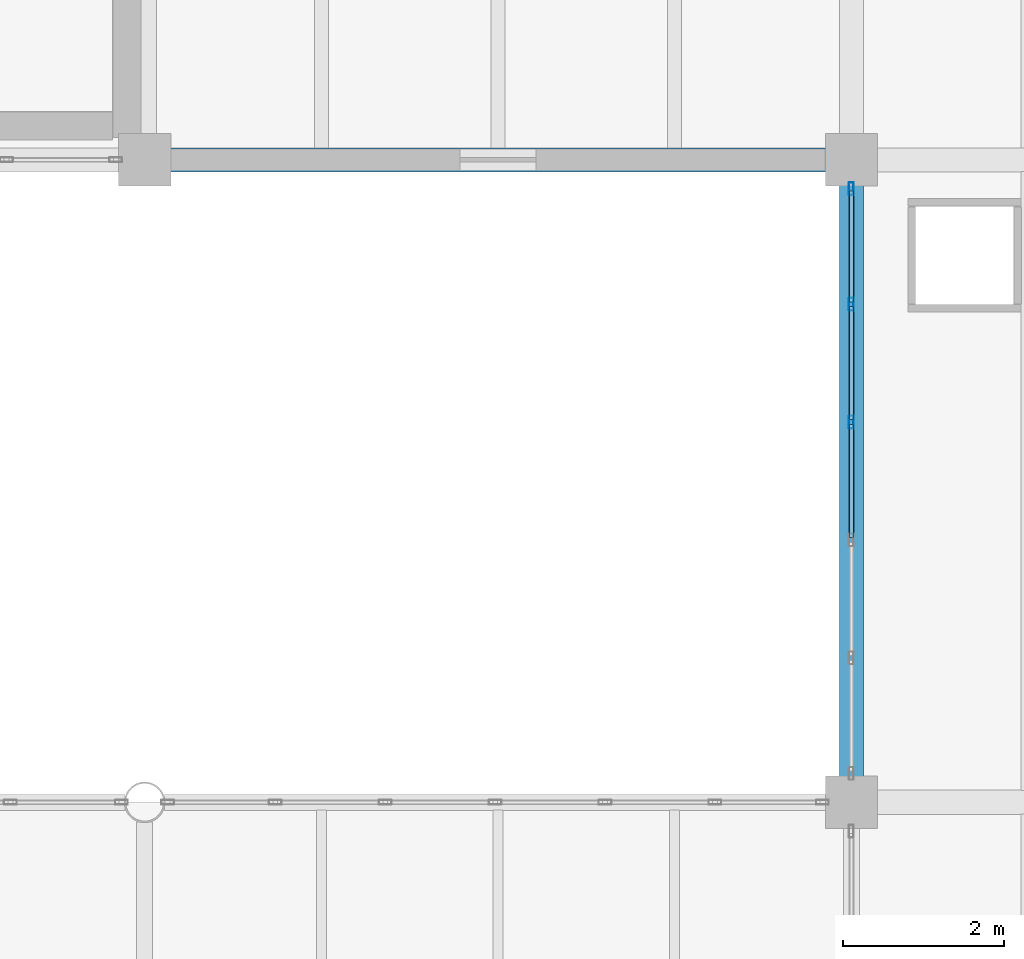
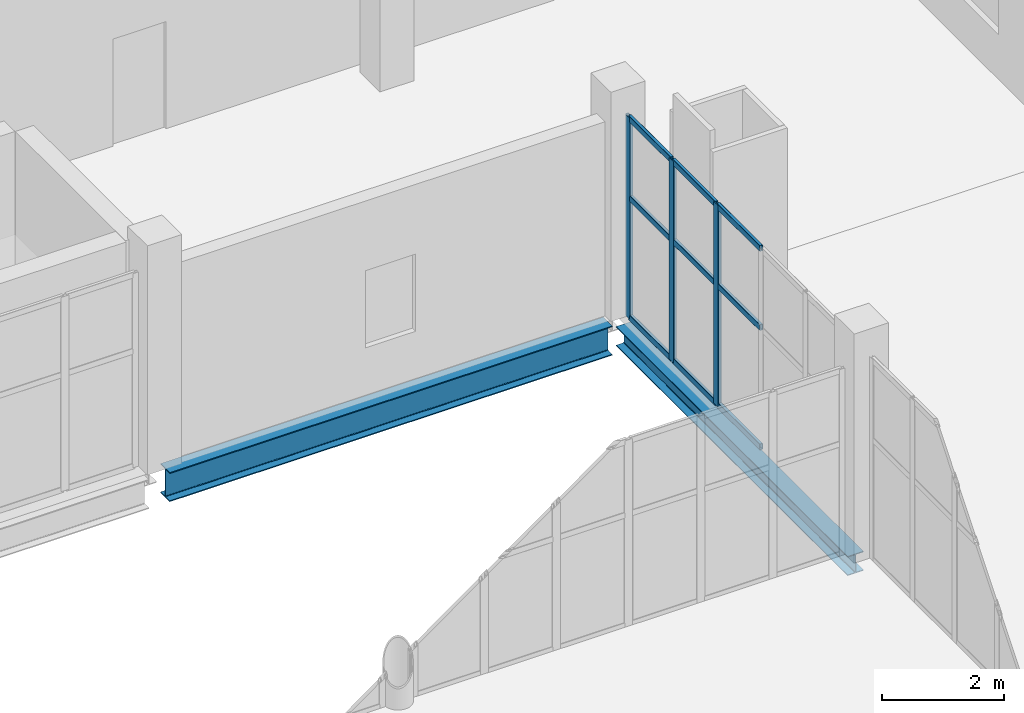
# One storey, part 122 of 172: 12 members, 2 beams, 1 element without a shape of its own.
"""IFC4 building model written with IfcOpenShell, lengths in metres."""

from ifc_helpers import new_model, si_unit, direction, frame, origin, origin_2d, place, context, subcontext, project, spatial, hollow_rectangle, i_section, extrude, material, material_profile, profile_set, type_object, element, aggregate, save


model = new_model("IFC4")

# Units and contexts
model_context = context("Model", 3, precision=1e-05, world=origin(), true_north=direction((0.0, 1.0)))
body_context = subcontext(model_context, "Body", "Model", "MODEL_VIEW")
ifc_project = project(units=[si_unit("LENGTHUNIT", "METRE"), si_unit("AREAUNIT", "SQUARE_METRE"), si_unit("VOLUMEUNIT", "CUBIC_METRE"), si_unit("PLANEANGLEUNIT", "RADIAN"), si_unit("MASSUNIT", "GRAM", prefix="KILO")], contexts=[model_context])

# Site, building, storey
site_placement = place(None, origin())
site = spatial("IfcSite", under=ifc_project, at=site_placement, CompositionType="ELEMENT")
building_placement = place(site_placement, origin())
building = spatial("IfcBuilding", under=site, at=building_placement, Name="Shengluoqiao Park Theatre", CompositionType="ELEMENT")
storey_placement = place(building_placement, frame((0.0, 0.0, 5.39990234375)))
storey = spatial("IfcBuildingStorey", under=building, at=storey_placement, Name="L01", CompositionType="ELEMENT", Elevation=5.39990234375)

# Curtain wall, members
ifc_material_1 = material(Name="Aluminium 6063-T6", Category="aluminium")
curtain_wall_type = type_object("IfcCurtainWallType", Name="ENV-CW-COURT", PredefinedType="NOTDEFINED", material=ifc_material_1)
curtain_wall_placement = place(storey_placement, origin())
curtain_wall = element("IfcCurtainWall", 1, at=curtain_wall_placement, inside=storey, type_object=curtain_wall_type, Name="L01 Curtain Wall CWX-L01-0188", PredefinedType="NOTDEFINED")
ifc_material_profile_1 = material_profile(ifc_material_1, hollow_rectangle(XDim=0.06005859375, YDim=0.159912109375, WallThickness=0.00390625, InnerFilletRadius=0.00390625, OuterFilletRadius=0.008056640625, at=origin_2d()), Name="ALU MULLION 160x60x4")
ifc_profile_set_1 = profile_set([ifc_material_profile_1], Name="Aluminium 6063-T6")
member_type_1 = type_object("IfcMemberType", Name="ENV-MUL-160", PredefinedType="MULLION", material=ifc_profile_set_1)
member_1_placement = place(storey_placement, frame((157.199951171875, 80.734130859375, 0.0), z_axis=(0.0, 0.0, 1.0), x_axis=(-1.0, 0.0, 0.0)))
member_1 = element("IfcMember", 2, at=member_1_placement, type_object=member_type_1, Name="CW-05 mullion 4", PredefinedType="MULLION", context=body_context, shape_type="SweptSolid", body=[
    extrude(hollow_rectangle(XDim=0.06005859375, YDim=0.159912109375, WallThickness=0.00390625, InnerFilletRadius=0.00390625, OuterFilletRadius=0.008056640625, at=origin_2d()), origin(), (0.0, 0.0, 1.0), 4.044189453125),
])
member_2_placement = place(storey_placement, frame((157.199951171875, 82.20263671875, 0.0), z_axis=(0.0, 0.0, 1.0), x_axis=(-1.0, 0.0, 0.0)))
member_2 = element("IfcMember", 3, at=member_2_placement, type_object=member_type_1, Name="CW-05 mullion 5", PredefinedType="MULLION", context=body_context, shape_type="SweptSolid", body=[
    extrude(hollow_rectangle(XDim=0.06005859375, YDim=0.159912109375, WallThickness=0.00390625, InnerFilletRadius=0.00390625, OuterFilletRadius=0.008056640625, at=origin_2d()), origin(), (0.0, 0.0, 1.0), 4.044189453125),
])
member_3_placement = place(storey_placement, frame((157.199951171875, 83.64111328125, 0.0), z_axis=(0.0, 0.0, 1.0), x_axis=(-1.0, 0.0, 0.0)))
member_3 = element("IfcMember", 4, at=member_3_placement, type_object=member_type_1, Name="CW-05 mullion 6", PredefinedType="MULLION", context=body_context, shape_type="SweptSolid", body=[
    extrude(hollow_rectangle(XDim=0.06005859375, YDim=0.159912109375, WallThickness=0.00390625, InnerFilletRadius=0.00390625, OuterFilletRadius=0.008056640625, at=origin_2d()), origin(), (0.0, 0.0, 1.0), 4.044189453125),
])
ifc_material_profile_2 = material_profile(ifc_material_1, hollow_rectangle(XDim=0.06005859375, YDim=0.1201171875, WallThickness=0.00390625, InnerFilletRadius=0.00390625, OuterFilletRadius=0.008056640625, at=origin_2d()), Name="ALU TRANSOM 120x60x4")
ifc_profile_set_2 = profile_set([ifc_material_profile_2], Name="Aluminium 6063-T6")
member_type_2 = type_object("IfcMemberType", Name="ENV-TRN-120", PredefinedType="USERDEFINED", material=ifc_profile_set_2)
member_4_placement = place(storey_placement, frame((157.199951171875, 79.2958984375, 0.030029296875), z_axis=(0.0, 1.0, 0.0), x_axis=(-1.0, 0.0, 0.0)))
member_4 = element("IfcMember", 5, at=member_4_placement, type_object=member_type_2, Name="CW-05 transom 3.1", ObjectType="TRANSOM", PredefinedType="USERDEFINED", context=body_context, shape_type="SweptSolid", body=[
    extrude(hollow_rectangle(XDim=0.06005859375, YDim=0.1201171875, WallThickness=0.00390625, InnerFilletRadius=0.00390625, OuterFilletRadius=0.008056640625, at=origin_2d()), origin(), (0.0, 0.0, 1.0), 1.408203125),
])
member_5_placement = place(storey_placement, frame((157.199951171875, 79.2958984375, 2.426025390625), z_axis=(0.0, 1.0, 0.0), x_axis=(-1.0, 0.0, 0.0)))
member_5 = element("IfcMember", 6, at=member_5_placement, type_object=member_type_2, Name="CW-05 transom 3.2", ObjectType="TRANSOM", PredefinedType="USERDEFINED", context=body_context, shape_type="SweptSolid", body=[
    extrude(hollow_rectangle(XDim=0.06005859375, YDim=0.1201171875, WallThickness=0.00390625, InnerFilletRadius=0.00390625, OuterFilletRadius=0.008056640625, at=origin_2d()), origin(), (0.0, 0.0, 1.0), 1.408203125),
])
member_6_placement = place(storey_placement, frame((157.199951171875, 79.2958984375, 4.01416015625), z_axis=(0.0, 1.0, 0.0), x_axis=(-1.0, 0.0, 0.0)))
member_6 = element("IfcMember", 7, at=member_6_placement, type_object=member_type_2, Name="CW-05 transom 3.3", ObjectType="TRANSOM", PredefinedType="USERDEFINED", context=body_context, shape_type="SweptSolid", body=[
    extrude(hollow_rectangle(XDim=0.06005859375, YDim=0.1201171875, WallThickness=0.00390625, InnerFilletRadius=0.00390625, OuterFilletRadius=0.008056640625, at=origin_2d()), origin(), (0.0, 0.0, 1.0), 1.408203125),
])
member_7_placement = place(storey_placement, frame((157.199951171875, 80.76416015625, 0.030029296875), z_axis=(0.0, 1.0, 0.0), x_axis=(-1.0, 0.0, 0.0)))
member_7 = element("IfcMember", 8, at=member_7_placement, type_object=member_type_2, Name="CW-05 transom 4.1", ObjectType="TRANSOM", PredefinedType="USERDEFINED", context=body_context, shape_type="SweptSolid", body=[
    extrude(hollow_rectangle(XDim=0.06005859375, YDim=0.1201171875, WallThickness=0.00390625, InnerFilletRadius=0.00390625, OuterFilletRadius=0.008056640625, at=origin_2d()), origin(), (0.0, 0.0, 1.0), 1.408447265625),
])
member_8_placement = place(storey_placement, frame((157.199951171875, 80.76416015625, 2.426025390625), z_axis=(0.0, 1.0, 0.0), x_axis=(-1.0, 0.0, 0.0)))
member_8 = element("IfcMember", 9, at=member_8_placement, type_object=member_type_2, Name="CW-05 transom 4.2", ObjectType="TRANSOM", PredefinedType="USERDEFINED", context=body_context, shape_type="SweptSolid", body=[
    extrude(hollow_rectangle(XDim=0.06005859375, YDim=0.1201171875, WallThickness=0.00390625, InnerFilletRadius=0.00390625, OuterFilletRadius=0.008056640625, at=origin_2d()), origin(), (0.0, 0.0, 1.0), 1.408447265625),
])
member_9_placement = place(storey_placement, frame((157.199951171875, 80.76416015625, 4.01416015625), z_axis=(0.0, 1.0, 0.0), x_axis=(-1.0, 0.0, 0.0)))
member_9 = element("IfcMember", 10, at=member_9_placement, type_object=member_type_2, Name="CW-05 transom 4.3", ObjectType="TRANSOM", PredefinedType="USERDEFINED", context=body_context, shape_type="SweptSolid", body=[
    extrude(hollow_rectangle(XDim=0.06005859375, YDim=0.1201171875, WallThickness=0.00390625, InnerFilletRadius=0.00390625, OuterFilletRadius=0.008056640625, at=origin_2d()), origin(), (0.0, 0.0, 1.0), 1.408447265625),
])
member_10_placement = place(storey_placement, frame((157.199951171875, 82.232666015625, 0.030029296875), z_axis=(0.0, 1.0, 0.0), x_axis=(-1.0, 0.0, 0.0)))
member_10 = element("IfcMember", 11, at=member_10_placement, type_object=member_type_2, Name="CW-05 transom 5.1", ObjectType="TRANSOM", PredefinedType="USERDEFINED", context=body_context, shape_type="SweptSolid", body=[
    extrude(hollow_rectangle(XDim=0.06005859375, YDim=0.1201171875, WallThickness=0.00390625, InnerFilletRadius=0.00390625, OuterFilletRadius=0.008056640625, at=origin_2d()), origin(), (0.0, 0.0, 1.0), 1.37841796875),
])
member_11_placement = place(storey_placement, frame((157.199951171875, 82.232666015625, 2.426025390625), z_axis=(0.0, 1.0, 0.0), x_axis=(-1.0, 0.0, 0.0)))
member_11 = element("IfcMember", 12, at=member_11_placement, type_object=member_type_2, Name="CW-05 transom 5.2", ObjectType="TRANSOM", PredefinedType="USERDEFINED", context=body_context, shape_type="SweptSolid", body=[
    extrude(hollow_rectangle(XDim=0.06005859375, YDim=0.1201171875, WallThickness=0.00390625, InnerFilletRadius=0.00390625, OuterFilletRadius=0.008056640625, at=origin_2d()), origin(), (0.0, 0.0, 1.0), 1.37841796875),
])
member_12_placement = place(storey_placement, frame((157.199951171875, 82.232666015625, 4.01416015625), z_axis=(0.0, 1.0, 0.0), x_axis=(-1.0, 0.0, 0.0)))
member_12 = element("IfcMember", 13, at=member_12_placement, type_object=member_type_2, Name="CW-05 transom 5.3", ObjectType="TRANSOM", PredefinedType="USERDEFINED", context=body_context, shape_type="SweptSolid", body=[
    extrude(hollow_rectangle(XDim=0.06005859375, YDim=0.1201171875, WallThickness=0.00390625, InnerFilletRadius=0.00390625, OuterFilletRadius=0.008056640625, at=origin_2d()), origin(), (0.0, 0.0, 1.0), 1.37841796875),
])
aggregate(curtain_wall, [member_1, member_2, member_3, member_4, member_5, member_6, member_7, member_8, member_9, member_10, member_11, member_12])

# Beams
ifc_material_2 = material(Name="Steel Q355", Category="steel")
ifc_material_profile_3 = material_profile(ifc_material_2, i_section(OverallWidth=0.300048828125, OverallDepth=0.389892578125, WebThickness=0.010009765625, FlangeThickness=0.01611328125, FilletRadius=0.01806640625, at=origin_2d()), Name="HM 390x300x10x16")
ifc_profile_set_3 = profile_set([ifc_material_profile_3], Name="Steel Q355")
beam_type_1 = type_object("IfcBeamType", Name="STR-BM-G-HM390", PredefinedType="BEAM", material=ifc_profile_set_3)
beam_1_placement = place(storey_placement, frame((157.199951171875, 76.194091796875, -0.434814453125), z_axis=(0.0, 1.0, 0.0), x_axis=(-1.0, 0.0, 0.0)))
element("IfcBeam", 14, at=beam_1_placement, inside=storey, type_object=beam_type_1, Name="L01 Transverse Girder 00742", PredefinedType="BEAM", context=body_context, shape_type="SweptSolid", body=[
    extrude(i_section(OverallWidth=0.300048828125, OverallDepth=0.389892578125, WebThickness=0.010009765625, FlangeThickness=0.01611328125, FilletRadius=0.01806640625, at=origin_2d()), origin(), (0.0, 0.0, 1.0), 7.61181640625),
])
ifc_material_profile_4 = material_profile(ifc_material_2, i_section(OverallWidth=0.300048828125, OverallDepth=0.587890625, WebThickness=0.011962890625, FlangeThickness=0.02001953125, FilletRadius=0.02392578125, at=origin_2d()), Name="HM 588x300x12x20")
ifc_profile_set_4 = profile_set([ifc_material_profile_4], Name="Steel Q355")
beam_type_2 = type_object("IfcBeamType", Name="STR-BM-G-HM588", PredefinedType="BEAM", material=ifc_profile_set_4)
beam_2_placement = place(storey_placement, frame((148.597900390625, 84.0, -0.533935546875), z_axis=(1.0, 0.0, 0.0), x_axis=(0.0, 1.0, 0.0)))
element("IfcBeam", 15, at=beam_2_placement, inside=storey, type_object=beam_type_2, Name="L01 Primary Girder 00671", PredefinedType="BEAM", context=body_context, shape_type="SweptSolid", body=[
    extrude(i_section(OverallWidth=0.300048828125, OverallDepth=0.587890625, WebThickness=0.011962890625, FlangeThickness=0.02001953125, FilletRadius=0.02392578125, at=origin_2d()), origin(), (0.0, 0.0, 1.0), 8.404052734375),
])

save(model, "model.ifc")
